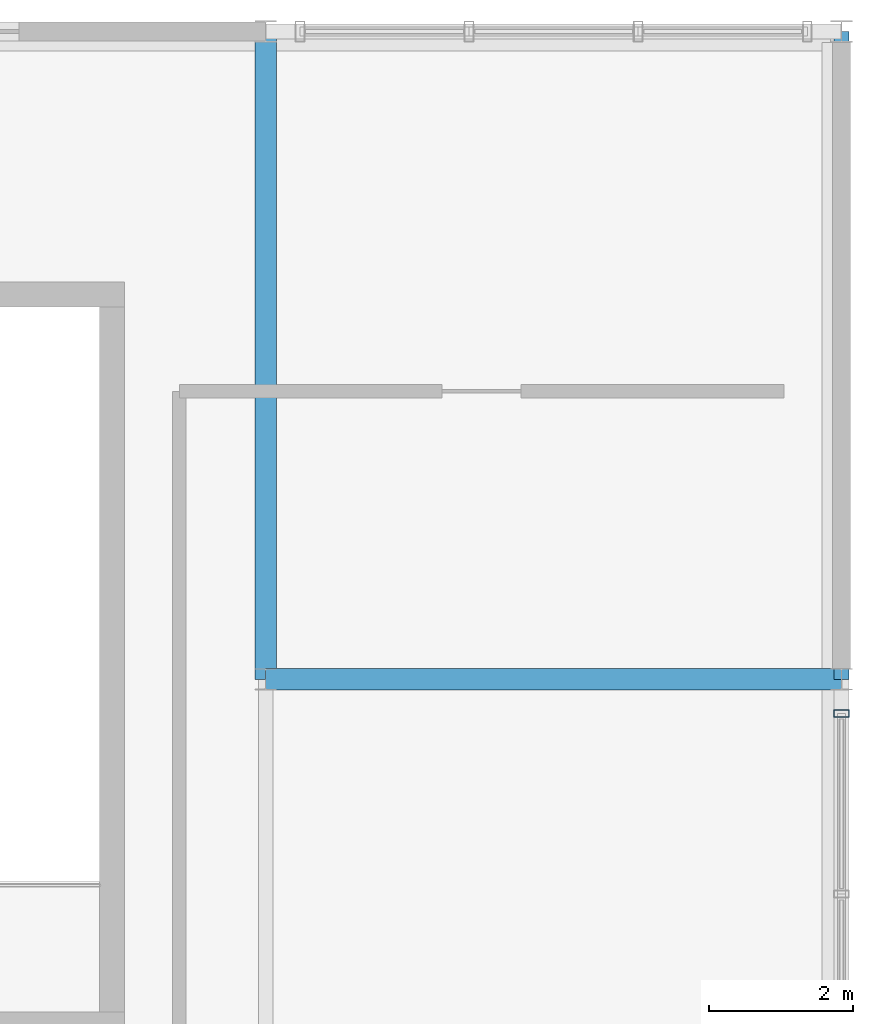
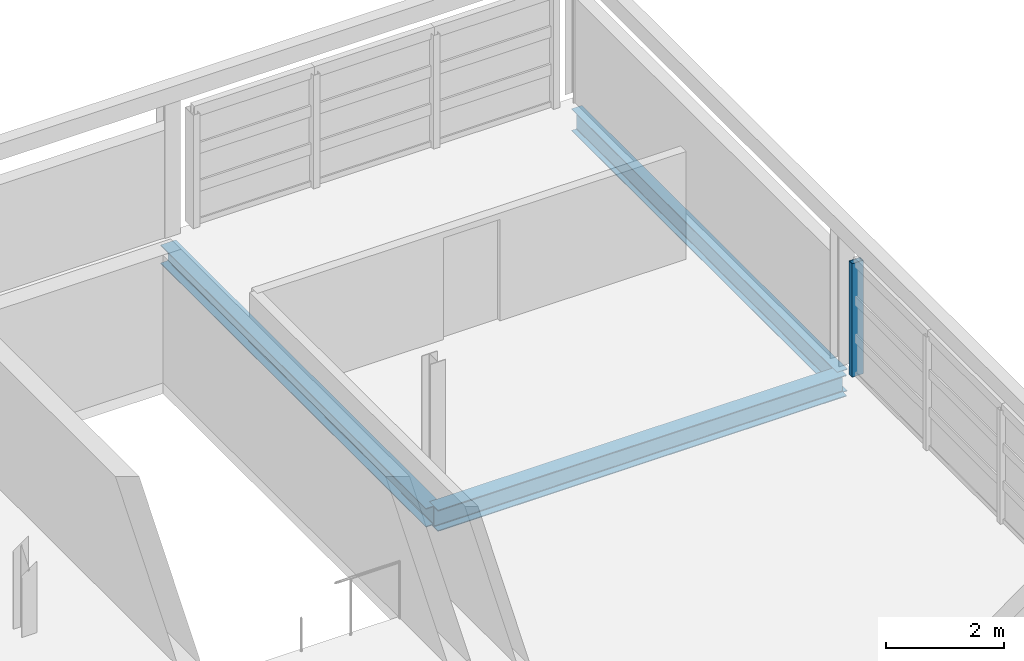
# One storey, part 19 of 27: 3 beams, 1 member, 1 element without a shape of its own.
"""IFC4 building model written with IfcOpenShell, lengths in metres."""

import ifcopenshell
import ifcopenshell.guid

model = None  # the IFC model being written
_history = None  # IfcOwnerHistory: only IFC2X3 demands one
_inside = {}  # id of a spatial element -> (the spatial element, [elements in it])
_under = {}  # id of a project, library or spatial element -> (it, [spatial elements below it])
_declared = {}  # id of a project -> (the project, [libraries it declares])
_typed = {}  # id of a type object -> (the type object, [elements of that type])
_made_of = {}  # id of a material, layer set ... -> (it, [elements and type objects made of it])


def new_model(schema):
    """Start an empty IFC model of exactly this schema.

    Asked for "IFC4X3", IfcOpenShell would pick the latest addendum, in which some entities
    have other attributes; the version numbers below select the first issue.
    IFC2X3 requires an IfcOwnerHistory on every rooted entity: one is made here for all.
    """
    global model, _history
    if schema == "IFC4X3":
        model = ifcopenshell.file(schema_version=(4, 3, 0, 0))
    else:
        model = ifcopenshell.file(schema=schema)
    _inside.clear()
    _under.clear()
    _declared.clear()
    _typed.clear()
    _made_of.clear()
    _history = None
    if model.schema == "IFC2X3":
        org = make("IfcOrganization", Name="unknown")
        user = make(
            "IfcPersonAndOrganization",
            ThePerson=make("IfcPerson", FamilyName="unknown"),
            TheOrganization=org,
        )
        app = make(
            "IfcApplication",
            ApplicationDeveloper=org,
            Version="unknown",
            ApplicationFullName="unknown",
            ApplicationIdentifier="unknown",
        )
        _history = make(
            "IfcOwnerHistory",
            OwningUser=user,
            OwningApplication=app,
            ChangeAction="ADDED",
            CreationDate=0,
        )
    return model


def make(cls, **values):
    """One entity of the class cls with the attributes given. An attribute that is None is left unset."""
    return model.create_entity(
        cls, **{name: value for name, value in values.items() if value is not None}
    )


def rooted(cls, **values):
    """An entity with a GlobalId (a new one), such as an element, a storey or a relation."""
    return make(cls, GlobalId=ifcopenshell.guid.new(), OwnerHistory=_history, **values)


def si_unit(unit_type, name, prefix=None):
    """IfcSIUnit, for example si_unit("LENGTHUNIT", "METRE", prefix="MILLI")."""
    return make("IfcSIUnit", UnitType=unit_type, Prefix=prefix, Name=name)


def assignment(units):
    """IfcUnitAssignment: the units of a project."""
    return None if units is None else make("IfcUnitAssignment", Units=units)


def point(xyz):
    """IfcCartesianPoint."""
    return None if xyz is None else make("IfcCartesianPoint", Coordinates=xyz)


def direction(xyz):
    """IfcDirection."""
    return None if xyz is None else make("IfcDirection", DirectionRatios=xyz)


def frame(location, z_axis=None, x_axis=None):
    """IfcAxis2Placement3D, a coordinate frame: its origin and axes. An axis left out is left unset."""
    return make(
        "IfcAxis2Placement3D",
        Location=point(location),
        Axis=direction(z_axis),
        RefDirection=direction(x_axis),
    )


def frame_2d(location, x_axis=None):
    """IfcAxis2Placement2D, a coordinate frame in the plane: its origin and x axis."""
    return make(
        "IfcAxis2Placement2D", Location=point(location), RefDirection=direction(x_axis)
    )


def origin():
    """The frame at (0, 0, 0) with its axes left unset."""
    return frame((0.0, 0.0, 0.0))


def origin_2d():
    """The frame at (0, 0) in the plane with its x axis left unset."""
    return frame_2d((0.0, 0.0))


def place(relative_to, where):
    """IfcLocalPlacement: puts the frame where relative to a parent placement (None: the world)."""
    return make(
        "IfcLocalPlacement", PlacementRelTo=relative_to, RelativePlacement=where
    )


def context(
    kind, dimensions, precision=None, world=None, true_north=None, identifier=None
):
    """IfcGeometricRepresentationContext, for example the 3D "Model" context."""
    return make(
        "IfcGeometricRepresentationContext",
        ContextIdentifier=identifier,
        ContextType=kind,
        CoordinateSpaceDimension=dimensions,
        Precision=precision,
        WorldCoordinateSystem=world,
        TrueNorth=true_north,
    )


def subcontext(parent, identifier, kind, view, scale=None):
    """IfcGeometricRepresentationSubContext, for example "Body" below "Model"."""
    return make(
        "IfcGeometricRepresentationSubContext",
        ContextIdentifier=identifier,
        ContextType=kind,
        ParentContext=parent,
        TargetScale=scale,
        TargetView=view,
    )


def project(units=None, contexts=None):
    """IfcProject with its units and contexts."""
    return rooted(
        "IfcProject",
        Name="project",
        RepresentationContexts=contexts,
        UnitsInContext=assignment(units),
    )


def spatial(cls, under=None, at=None, **own):
    """A site, building, storey or space (cls), placed at a placement, below another one or the project."""
    s = rooted(cls, ObjectPlacement=at, **own)
    if under is not None:
        _under.setdefault(under.id(), (under, []))[1].append(s)
    return s


def profile(cls, at=None, kind="AREA", **sizes):
    """A parametric profile (cls). Its sizes go by their IFC names, for example OverallWidth=200.0."""
    return make(cls, ProfileType=kind, Position=at, **sizes)


def hollow_rectangle(**sizes):
    """IfcRectangleHollowProfileDef."""
    return profile("IfcRectangleHollowProfileDef", **sizes)


def i_section(**sizes):
    """IfcIShapeProfileDef."""
    return profile("IfcIShapeProfileDef", **sizes)


def extrude(swept, where, along, depth):
    """IfcExtrudedAreaSolid: the profile swept, set in the frame where, extruded along a direction by depth."""
    return make(
        "IfcExtrudedAreaSolid",
        SweptArea=swept,
        Position=where,
        ExtrudedDirection=direction(along),
        Depth=depth,
    )


def shape(context_of_items, identifier, shape_type, items):
    """IfcShapeRepresentation: the items that make up one representation, for example the "Body"."""
    return make(
        "IfcShapeRepresentation",
        ContextOfItems=context_of_items,
        RepresentationIdentifier=identifier,
        RepresentationType=shape_type,
        Items=items,
    )


def material(Name=None, Category=None):
    """IfcMaterial."""
    return make("IfcMaterial", Name=Name, Category=Category)


def material_profile(
    of_material, cross_section, Name=None, Category=None, Priority=None
):
    """IfcMaterialProfile: a cross section and its material."""
    return make(
        "IfcMaterialProfile",
        Name=Name,
        Material=of_material,
        Profile=cross_section,
        Priority=Priority,
        Category=Category,
    )


def profile_set(profiles, Name=None, composite=None):
    """IfcMaterialProfileSet."""
    return make(
        "IfcMaterialProfileSet",
        Name=Name,
        MaterialProfiles=profiles,
        CompositeProfile=composite,
    )


def made_of(thing, what):
    """Note that an element or type object is made of a material, layer set ...; save() writes the relation."""
    if what is not None:
        _made_of.setdefault(what.id(), (what, []))[1].append(thing)
    return thing


def type_object(cls, material=None, **own):
    """A type object (cls), such as IfcWallType, which elements share."""
    return made_of(rooted(cls, **own), material)


def element(
    cls,
    number,
    at=None,
    inside=None,
    cuts=None,
    type_object=None,
    material=None,
    context=None,
    identifier="Body",
    shape_type=None,
    held_by="IfcProductDefinitionShape",
    body=None,
    shapes=None,
    **own,
):
    """One element of the class cls, such as IfcWall. Its Tag is "e" and its number.

    at: its placement. inside: the storey or other place that contains it. cuts: it is an
    opening in that element (IfcRelVoidsElement). A single representation is given by context,
    identifier, shape_type and body (its items); several are given by shapes. held_by: the class
    of the entity that holds the representations. save() writes the other relations.
    """
    e = rooted(cls, Tag="e%d" % number, ObjectPlacement=at, **own)
    if body is not None:
        shapes = [shape(context, identifier, shape_type, body)]
    if shapes is not None:
        e.Representation = make(held_by, Representations=shapes)
    if inside is not None:
        _inside.setdefault(inside.id(), (inside, []))[1].append(e)
    if cuts is not None:
        rooted(
            "IfcRelVoidsElement", RelatingBuildingElement=cuts, RelatedOpeningElement=e
        )
    if type_object is not None:
        _typed.setdefault(type_object.id(), (type_object, []))[1].append(e)
    return made_of(e, material)


def aggregate(whole, parts):
    """IfcRelAggregates: a whole, such as a stair, and the parts it consists of."""
    return rooted("IfcRelAggregates", RelatingObject=whole, RelatedObjects=parts)


def save(model, path):
    """Write the relations noted so far, then the file.

    IfcRelAggregates (storeys below a building ...), IfcRelContainedInSpatialStructure (elements
    in a storey), IfcRelDefinesByType, IfcRelAssociatesMaterial and IfcRelDeclares: one each for
    every whole, place, type object, material and project.
    """
    for whole, parts in _under.values():
        aggregate(whole, parts)
    for where, things in _inside.values():
        rooted(
            "IfcRelContainedInSpatialStructure",
            RelatedElements=things,
            RelatingStructure=where,
        )
    for kind, things in _typed.values():
        rooted("IfcRelDefinesByType", RelatedObjects=things, RelatingType=kind)
    for what, things in _made_of.values():
        rooted("IfcRelAssociatesMaterial", RelatedObjects=things, RelatingMaterial=what)
    for by, libraries in _declared.values():
        rooted("IfcRelDeclares", RelatingContext=by, RelatedDefinitions=libraries)
    model.write(path)


model = new_model("IFC4")

# Units and contexts
model_context = context("Model", 3, precision=1e-05, world=origin(), true_north=direction((0.0, 1.0)))
body_context = subcontext(model_context, "Body", "Model", "MODEL_VIEW")
ifc_project = project(units=[si_unit("LENGTHUNIT", "METRE"), si_unit("AREAUNIT", "SQUARE_METRE"), si_unit("VOLUMEUNIT", "CUBIC_METRE"), si_unit("PLANEANGLEUNIT", "RADIAN"), si_unit("MASSUNIT", "GRAM", prefix="KILO")], contexts=[model_context])

# Site, building, storey
site_placement = place(None, origin())
site = spatial("IfcSite", under=ifc_project, at=site_placement, CompositionType="ELEMENT")
building_placement = place(site_placement, origin())
building = spatial("IfcBuilding", under=site, at=building_placement, Name="Chuanluo Vaults Station", CompositionType="ELEMENT")
storey_placement = place(building_placement, frame((0.0, 0.0, 20.800048828125)))
storey = spatial("IfcBuildingStorey", under=building, at=storey_placement, Name="L05", CompositionType="ELEMENT", Elevation=20.800048828125)

# Beams
ifc_material_1 = material(Name="Steel Q355C", Category="steel")
ifc_material_profile_1 = material_profile(ifc_material_1, i_section(OverallWidth=0.300048828125, OverallDepth=0.389892578125, WebThickness=0.010009765625, FlangeThickness=0.01611328125, FilletRadius=0.02001953125, at=origin_2d()))
ifc_profile_set_1 = profile_set([ifc_material_profile_1], Name="Steel Q355C")
beam_type_1 = type_object("IfcBeamType", Name="BM-GRD-400", PredefinedType="BEAM", material=ifc_profile_set_1)
beam_1_placement = place(storey_placement, frame((180.0, 117.0, -0.4150390625), z_axis=(0.0, 1.0, 0.0), x_axis=(-1.0, 0.0, 0.0)))
element("IfcBeam", 1, at=beam_1_placement, inside=storey, type_object=beam_type_1, Name="Floor girder BM:GY:L05:1010", PredefinedType="BEAM", context=body_context, shape_type="SweptSolid", body=[
    extrude(i_section(OverallWidth=0.300048828125, OverallDepth=0.389892578125, WebThickness=0.010009765625, FlangeThickness=0.01611328125, FilletRadius=0.02001953125, at=origin_2d()), origin(), (0.0, 0.0, 1.0), 9.0),
])
ifc_material_2 = material(Name="Steel Q355C", Category="steel")
ifc_material_profile_2 = material_profile(ifc_material_2, i_section(OverallWidth=0.300048828125, OverallDepth=0.43994140625, WebThickness=0.010986328125, FlangeThickness=0.01806640625, FilletRadius=0.02001953125, at=origin_2d()))
ifc_profile_set_2 = profile_set([ifc_material_profile_2], Name="Steel Q355C")
beam_type_2 = type_object("IfcBeamType", Name="BM-GRD-450", PredefinedType="USERDEFINED", material=ifc_profile_set_2)
beam_2_placement = place(storey_placement, frame((180.0, 117.0, -0.43994140625), z_axis=(1.0, 0.0, 0.0), x_axis=(0.0, 1.0, 0.0)))
element("IfcBeam", 2, at=beam_2_placement, inside=storey, type_object=beam_type_2, Name="Floor girder BM:GX:L05:0977", ObjectType="GIRDER", PredefinedType="USERDEFINED", context=body_context, shape_type="SweptSolid", body=[
    extrude(i_section(OverallWidth=0.300048828125, OverallDepth=0.43994140625, WebThickness=0.010986328125, FlangeThickness=0.01806640625, FilletRadius=0.02001953125, at=origin_2d()), origin(), (0.0, 0.0, 1.0), 8.0),
])
ifc_material_3 = material(Name="Steel Q355C", Category="steel")
ifc_material_profile_3 = material_profile(ifc_material_3, i_section(OverallWidth=0.205078125, OverallDepth=0.4599609375, WebThickness=0.009033203125, FlangeThickness=0.013916015625, FilletRadius=0.01611328125, at=origin_2d()))
ifc_profile_set_3 = profile_set([ifc_material_profile_3], Name="Steel Q355C")
beam_type_3 = type_object("IfcBeamType", Name="BM-SPN-450", PredefinedType="SPANDREL", material=ifc_profile_set_3)
beam_3_placement = place(storey_placement, frame((188.0, 117.0, -0.449951171875), z_axis=(0.0, 1.0, 0.0), x_axis=(-1.0, 0.0, 0.0)))
element("IfcBeam", 3, at=beam_3_placement, inside=storey, type_object=beam_type_3, Name="Floor girder BM:GY:L05:1015", PredefinedType="SPANDREL", context=body_context, shape_type="SweptSolid", body=[
    extrude(i_section(OverallWidth=0.205078125, OverallDepth=0.4599609375, WebThickness=0.009033203125, FlangeThickness=0.013916015625, FilletRadius=0.01611328125, at=origin_2d()), origin(), (0.0, 0.0, 1.0), 9.0),
])

# Curtain wall, member
ifc_material_4 = material(Name="Anodised aluminium 6063-T6", Category="aluminium")
curtain_wall_type = type_object("IfcCurtainWallType", Name="CW-SYS-04", PredefinedType="NOTDEFINED", material=ifc_material_4)
curtain_wall_placement = place(storey_placement, origin())
curtain_wall = element("IfcCurtainWall", 4, at=curtain_wall_placement, inside=storey, type_object=curtain_wall_type, Name="Operations L05 facade CW", PredefinedType="NOTDEFINED")
ifc_material_5 = material(Name="Anodised aluminium 6063-T6", Category="aluminium")
ifc_material_profile_4 = material_profile(ifc_material_5, hollow_rectangle(XDim=0.10498046875, YDim=0.219970703125, WallThickness=0.006103515625, at=origin_2d()))
ifc_profile_set_4 = profile_set([ifc_material_profile_4], Name="Anodised aluminium 6063-T6")
member_type = type_object("IfcMemberType", Name="CWM-140", PredefinedType="MULLION", material=ifc_profile_set_4)
member_placement = place(storey_placement, frame((188.0, 116.52490234375, 0.0), z_axis=(0.0, 0.0, 1.0), x_axis=(0.0, -1.0, 0.0)))
member = element("IfcMember", 5, at=member_placement, type_object=member_type, Name="Operations L05 facade CW mullion 1", PredefinedType="MULLION", context=body_context, shape_type="SweptSolid", body=[
    extrude(hollow_rectangle(XDim=0.10498046875, YDim=0.219970703125, WallThickness=0.006103515625, at=origin_2d()), origin(), (0.0, 0.0, 1.0), 2.349853515625),
])
aggregate(curtain_wall, [member])

save(model, "model.ifc")
